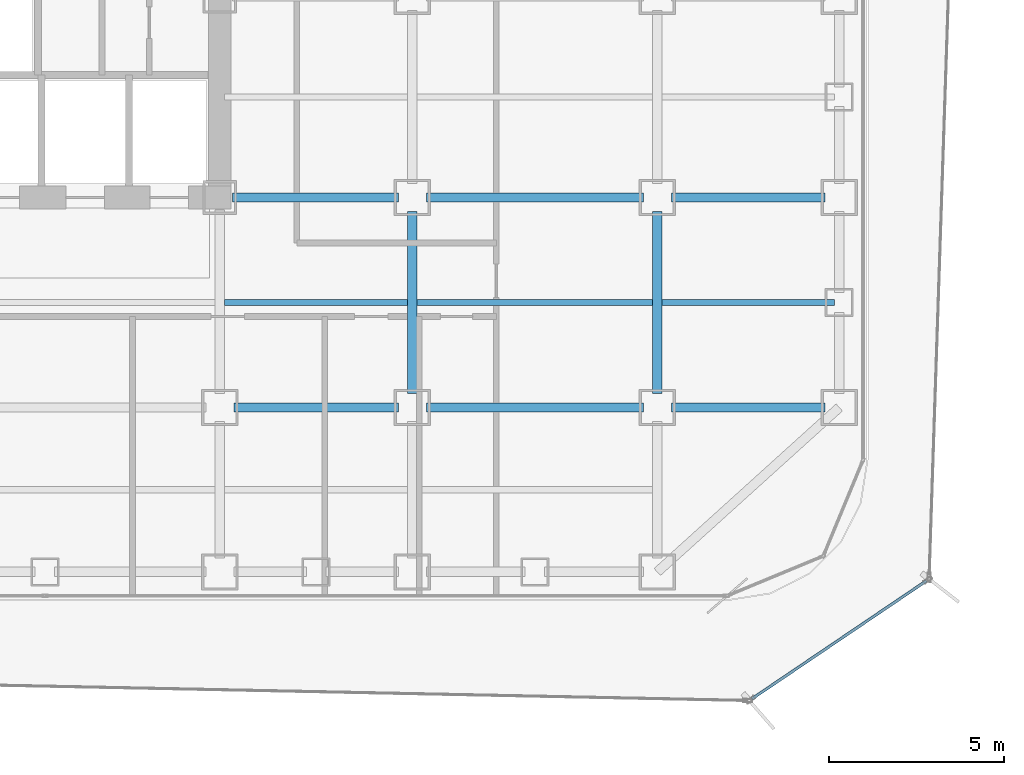
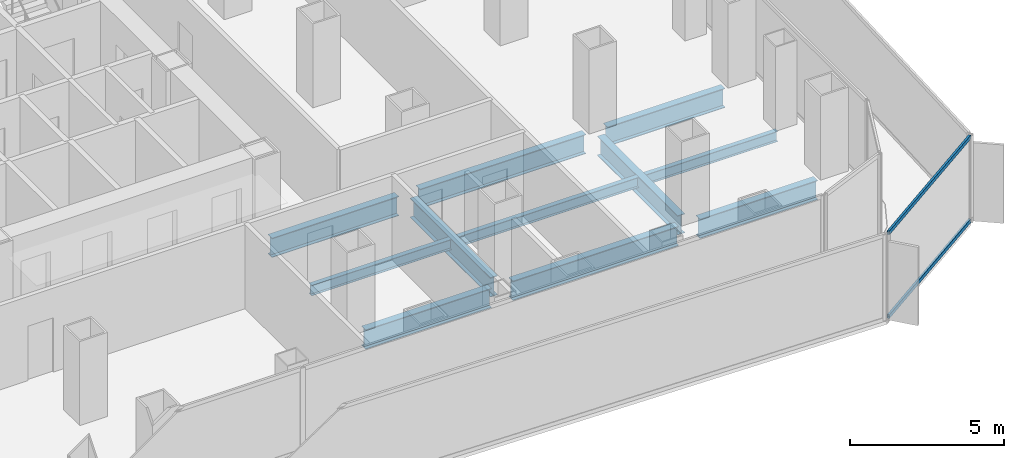
# One storey, part 7 of 21: 11 beams, 2 members, 1 element without a shape of its own.
"""IFC4 building model written with IfcOpenShell, lengths in metres."""

from ifc_helpers import new_model, si_unit, direction, frame, origin, origin_2d, place, context, subcontext, project, spatial, hollow_rectangle, i_section, extrude, source, transform, mapped, material, layer, layer_set, material_profile, profile_set, type_object, element, aggregate, save


model = new_model("IFC4")

# Units and contexts
model_context = context("Model", 3, precision=1e-05, world=origin(), true_north=direction((0.0, 1.0)))
body_context = subcontext(model_context, "Body", "Model", "MODEL_VIEW")
ifc_project = project(units=[si_unit("LENGTHUNIT", "METRE"), si_unit("AREAUNIT", "SQUARE_METRE"), si_unit("VOLUMEUNIT", "CUBIC_METRE"), si_unit("PLANEANGLEUNIT", "RADIAN"), si_unit("MASSUNIT", "GRAM", prefix="KILO")], contexts=[model_context])

# Site, building, storey
site_placement = place(None, origin())
site = spatial("IfcSite", under=ifc_project, at=site_placement, CompositionType="ELEMENT")
building_placement = place(site_placement, origin())
building = spatial("IfcBuilding", under=site, at=building_placement, Name="Kolveth Station Tower", CompositionType="ELEMENT")
storey_placement = place(building_placement, frame((0.0, 0.0, 47.699951171875)))
storey = spatial("IfcBuildingStorey", under=building, at=storey_placement, Name="L12", CompositionType="ELEMENT", Elevation=47.699951171875)

# Beams
ifc_material_1 = material(Name="Steel S355", Category="steel")
ifc_material_profile_1 = material_profile(ifc_material_1, i_section(OverallWidth=0.26708984375, OverallDepth=0.76611328125, WebThickness=0.014892578125, FlangeThickness=0.023681640625, at=origin_2d()), Name="W760x185")
ifc_profile_set_1 = profile_set([ifc_material_profile_1], Name="Steel S355")
beam_type_1 = type_object("IfcBeamType", Name="Beam_B3", PredefinedType="BEAM", material=ifc_profile_set_1)
shared_shape_1 = source(origin(), body_context, "Body", "SweptSolid", [
    extrude(i_section(OverallWidth=0.26708984375, OverallDepth=0.76611328125, WebThickness=0.014892578125, FlangeThickness=0.023681640625, at=origin_2d()), origin(), (0.0, 0.0, 1.0), 4.400146484375),
])
for number, where, z_axis, x_axis, name in (
    (1, (41.39990234375, 5.5, -0.662841796875), (1.0, 0.0, 0.0), (0.0, 1.0, 0.0), "L12 Primary Girder BM-L12-GY55-7"),
    (2, (41.39990234375, 11.5, -0.662841796875), (1.0, 0.0, 0.0), (0.0, 1.0, 0.0), "L12 Primary Girder BM-L12-GY115-7"),
):
    element("IfcBeam", number, at=place(storey_placement, frame(where, z_axis=z_axis, x_axis=x_axis)), inside=storey, type_object=beam_type_1, Name=name, PredefinedType="BEAM", context=body_context, shape_type="MappedRepresentation", body=[
        mapped(shared_shape_1, transform((0.0, 0.0, 0.0), x_axis=(1.0, 0.0, 0.0), y_axis=(0.0, 1.0, 0.0), z_axis=(0.0, 0.0, 1.0), scale=1.0)),
    ])
shared_shape_2 = source(origin(), body_context, "Body", "SweptSolid", [
    extrude(i_section(OverallWidth=0.26708984375, OverallDepth=0.76611328125, WebThickness=0.014892578125, FlangeThickness=0.023681640625, at=origin_2d()), origin(), (0.0, 0.0, 1.0), 6.2001953125),
])
for number, where, z_axis, x_axis, name in (
    (3, (34.39990234375, 5.5, -0.662841796875), (1.0, 0.0, 0.0), (0.0, 1.0, 0.0), "L12 Primary Girder BM-L12-GY55-6"),
    (4, (34.39990234375, 11.5, -0.662841796875), (1.0, 0.0, 0.0), (0.0, 1.0, 0.0), "L12 Primary Girder BM-L12-GY115-6"),
):
    element("IfcBeam", number, at=place(storey_placement, frame(where, z_axis=z_axis, x_axis=x_axis)), inside=storey, type_object=beam_type_1, Name=name, PredefinedType="BEAM", context=body_context, shape_type="MappedRepresentation", body=[
        mapped(shared_shape_2, transform((0.0, 0.0, 0.0), x_axis=(1.0, 0.0, 0.0), y_axis=(0.0, 1.0, 0.0), z_axis=(0.0, 0.0, 1.0), scale=1.0)),
    ])
shared_shape_3 = source(origin(), body_context, "Body", "SweptSolid", [
    extrude(i_section(OverallWidth=0.26708984375, OverallDepth=0.76611328125, WebThickness=0.014892578125, FlangeThickness=0.023681640625, at=origin_2d()), origin(), (0.0, 0.0, 1.0), 4.7001953125),
])
beam_1_placement = place(storey_placement, frame((28.89990234375, 5.5, -0.662841796875), z_axis=(1.0, 0.0, 0.0), x_axis=(0.0, 1.0, 0.0)))
element("IfcBeam", 5, at=beam_1_placement, inside=storey, type_object=beam_type_1, Name="L12 Primary Girder BM-L12-GY55-5", PredefinedType="BEAM", context=body_context, shape_type="MappedRepresentation", body=[
    mapped(shared_shape_3, transform((0.0, 0.0, 0.0), x_axis=(1.0, 0.0, 0.0), y_axis=(0.0, 1.0, 0.0), z_axis=(0.0, 0.0, 1.0), scale=1.0)),
])
shared_shape_4 = source(origin(), body_context, "Body", "SweptSolid", [
    extrude(i_section(OverallWidth=0.26708984375, OverallDepth=0.76611328125, WebThickness=0.014892578125, FlangeThickness=0.023681640625, at=origin_2d()), origin(), (0.0, 0.0, 1.0), 4.739990234375),
])
beam_2_placement = place(storey_placement, frame((28.860107421875, 11.5, -0.662841796875), z_axis=(1.0, 0.0, 0.0), x_axis=(0.0, 1.0, 0.0)))
element("IfcBeam", 6, at=beam_2_placement, inside=storey, type_object=beam_type_1, Name="L12 Primary Girder BM-L12-GY115-5", PredefinedType="BEAM", context=body_context, shape_type="MappedRepresentation", body=[
    mapped(shared_shape_4, transform((0.0, 0.0, 0.0), x_axis=(1.0, 0.0, 0.0), y_axis=(0.0, 1.0, 0.0), z_axis=(0.0, 0.0, 1.0), scale=1.0)),
])
shared_shape_5 = source(origin(), body_context, "Body", "SweptSolid", [
    extrude(i_section(OverallWidth=0.26708984375, OverallDepth=0.76611328125, WebThickness=0.014892578125, FlangeThickness=0.023681640625, at=origin_2d()), origin(), (0.0, 0.0, 1.0), 5.2001953125),
])
for number, where, z_axis, x_axis, name in (
    (7, (34.0, 5.89990234375, -0.662841796875), (0.0, 1.0, 0.0), (-1.0, 0.0, 0.0), "L12 Primary Girder BM-L12-GX340-2"),
    (8, (41.0, 5.89990234375, -0.662841796875), (0.0, 1.0, 0.0), (-1.0, 0.0, 0.0), "L12 Primary Girder BM-L12-GX410-2"),
):
    element("IfcBeam", number, at=place(storey_placement, frame(where, z_axis=z_axis, x_axis=x_axis)), inside=storey, type_object=beam_type_1, Name=name, PredefinedType="BEAM", context=body_context, shape_type="MappedRepresentation", body=[
        mapped(shared_shape_5, transform((0.0, 0.0, 0.0), x_axis=(1.0, 0.0, 0.0), y_axis=(0.0, 1.0, 0.0), z_axis=(0.0, 0.0, 1.0), scale=1.0)),
    ])
ifc_material_profile_2 = material_profile(ifc_material_1, i_section(OverallWidth=0.177978515625, OverallDepth=0.406982421875, WebThickness=0.0078125, FlangeThickness=0.0126953125, at=origin_2d()), Name="W410x60")
ifc_profile_set_2 = profile_set([ifc_material_profile_2], Name="Steel S355")
beam_type_2 = type_object("IfcBeamType", Name="Beam_J1", PredefinedType="JOIST", material=ifc_profile_set_2)
shared_shape_6 = source(origin(), body_context, "Body", "SweptSolid", [
    extrude(i_section(OverallWidth=0.177978515625, OverallDepth=0.406982421875, WebThickness=0.0078125, FlangeThickness=0.0126953125, at=origin_2d()), origin(), (0.0, 0.0, 1.0), 4.935791015625),
])
beam_3_placement = place(storey_placement, frame((41.131591796875, 8.5, -0.4833984375), z_axis=(1.0, 0.0, 0.0), x_axis=(0.0, 1.0, 0.0)))
element("IfcBeam", 9, at=beam_3_placement, inside=storey, type_object=beam_type_2, Name="L12 Secondary Joist JST-L12-7-2", PredefinedType="JOIST", context=body_context, shape_type="MappedRepresentation", body=[
    mapped(shared_shape_6, transform((0.0, 0.0, 0.0), x_axis=(1.0, 0.0, 0.0), y_axis=(0.0, 1.0, 0.0), z_axis=(0.0, 0.0, 1.0), scale=1.0)),
])
shared_shape_7 = source(origin(), body_context, "Body", "SweptSolid", [
    extrude(i_section(OverallWidth=0.177978515625, OverallDepth=0.406982421875, WebThickness=0.0078125, FlangeThickness=0.0126953125, at=origin_2d()), origin(), (0.0, 0.0, 1.0), 6.73681640625),
])
beam_4_placement = place(storey_placement, frame((34.131591796875, 8.5, -0.4833984375), z_axis=(1.0, 0.0, 0.0), x_axis=(0.0, 1.0, 0.0)))
element("IfcBeam", 10, at=beam_4_placement, inside=storey, type_object=beam_type_2, Name="L12 Secondary Joist JST-L12-6-2", PredefinedType="JOIST", context=body_context, shape_type="MappedRepresentation", body=[
    mapped(shared_shape_7, transform((0.0, 0.0, 0.0), x_axis=(1.0, 0.0, 0.0), y_axis=(0.0, 1.0, 0.0), z_axis=(0.0, 0.0, 1.0), scale=1.0)),
])
shared_shape_8 = source(origin(), body_context, "Body", "SweptSolid", [
    extrude(i_section(OverallWidth=0.177978515625, OverallDepth=0.406982421875, WebThickness=0.0078125, FlangeThickness=0.0126953125, at=origin_2d()), origin(), (0.0, 0.0, 1.0), 5.23681640625),
])
beam_5_placement = place(storey_placement, frame((28.631591796875, 8.5, -0.4833984375), z_axis=(1.0, 0.0, 0.0), x_axis=(0.0, 1.0, 0.0)))
element("IfcBeam", 11, at=beam_5_placement, inside=storey, type_object=beam_type_2, Name="L12 Secondary Joist JST-L12-5-2", PredefinedType="JOIST", context=body_context, shape_type="MappedRepresentation", body=[
    mapped(shared_shape_8, transform((0.0, 0.0, 0.0), x_axis=(1.0, 0.0, 0.0), y_axis=(0.0, 1.0, 0.0), z_axis=(0.0, 0.0, 1.0), scale=1.0)),
])

# Curtain wall, members
ifc_material_2 = material(Name="Black anodized aluminium 6063-T6 and dark solar glass", Category="aluminium")
ifc_layer = layer(ifc_material_2, 0.159912109375)
ifc_layer_set = layer_set([ifc_layer], Name="Black anodized aluminium 6063-T6 and dark solar glass")
curtain_wall_type = type_object("IfcCurtainWallType", Name="OUTER SKIN CW-OS", PredefinedType="NOTDEFINED", material=ifc_layer_set)
curtain_wall_placement = place(storey_placement, origin())
curtain_wall = element("IfcCurtainWall", 12, at=curtain_wall_placement, inside=storey, type_object=curtain_wall_type, Name="L12 Outer Ventilated Skin Curtain Wall 1", PredefinedType="NOTDEFINED")
ifc_material_3 = material(Name="Black anodized aluminium 6063-T6", Category="aluminium")
ifc_material_profile_3 = material_profile(ifc_material_3, hollow_rectangle(XDim=0.080078125, YDim=0.14990234375, WallThickness=0.0048828125, at=origin_2d()), Name="ALU-80x150x5")
ifc_profile_set_3 = profile_set([ifc_material_profile_3], Name="Black anodized aluminium 6063-T6")
member_type = type_object("IfcMemberType", Name="Transom_TR-OS", PredefinedType="USERDEFINED", material=ifc_profile_set_3)
shared_shape_9 = source(origin(), body_context, "Body", "SweptSolid", [
    extrude(hollow_rectangle(XDim=0.080078125, YDim=0.14990234375, WallThickness=0.0048828125, at=origin_2d()), origin(), (0.0, 0.0, 1.0), 6.024169921875),
])
member_1_placement = place(storey_placement, frame((43.7041015625, -2.826416015625, 0.0400390625), z_axis=(0.828460393396, 0.560047655628, 0.0), x_axis=(-0.560047655628, 0.828460393396, 0.0)))
member_1 = element("IfcMember", 13, at=member_1_placement, type_object=member_type, Name="CW-OS transom 1.1", ObjectType="TRANSOM", PredefinedType="USERDEFINED", context=body_context, shape_type="MappedRepresentation", body=[
    mapped(shared_shape_9, transform((0.0, 0.0, 0.0), x_axis=(1.0, 0.0, 0.0), y_axis=(0.0, 1.0, 0.0), z_axis=(0.0, 0.0, 1.0), scale=1.0)),
])
member_2_placement = place(storey_placement, frame((43.7041015625, -2.826416015625, 3.35009765625), z_axis=(0.828460393396, 0.560047655628, 0.0), x_axis=(-0.560047655628, 0.828460393396, 0.0)))
member_2 = element("IfcMember", 14, at=member_2_placement, type_object=member_type, Name="CW-OS transom 1.2", ObjectType="TRANSOM", PredefinedType="USERDEFINED", context=body_context, shape_type="MappedRepresentation", body=[
    mapped(shared_shape_9, transform((0.0, 0.0, 0.0), x_axis=(1.0, 0.0, 0.0), y_axis=(0.0, 1.0, 0.0), z_axis=(0.0, 0.0, 1.0), scale=1.0)),
])
aggregate(curtain_wall, [member_1, member_2])

save(model, "model.ifc")
